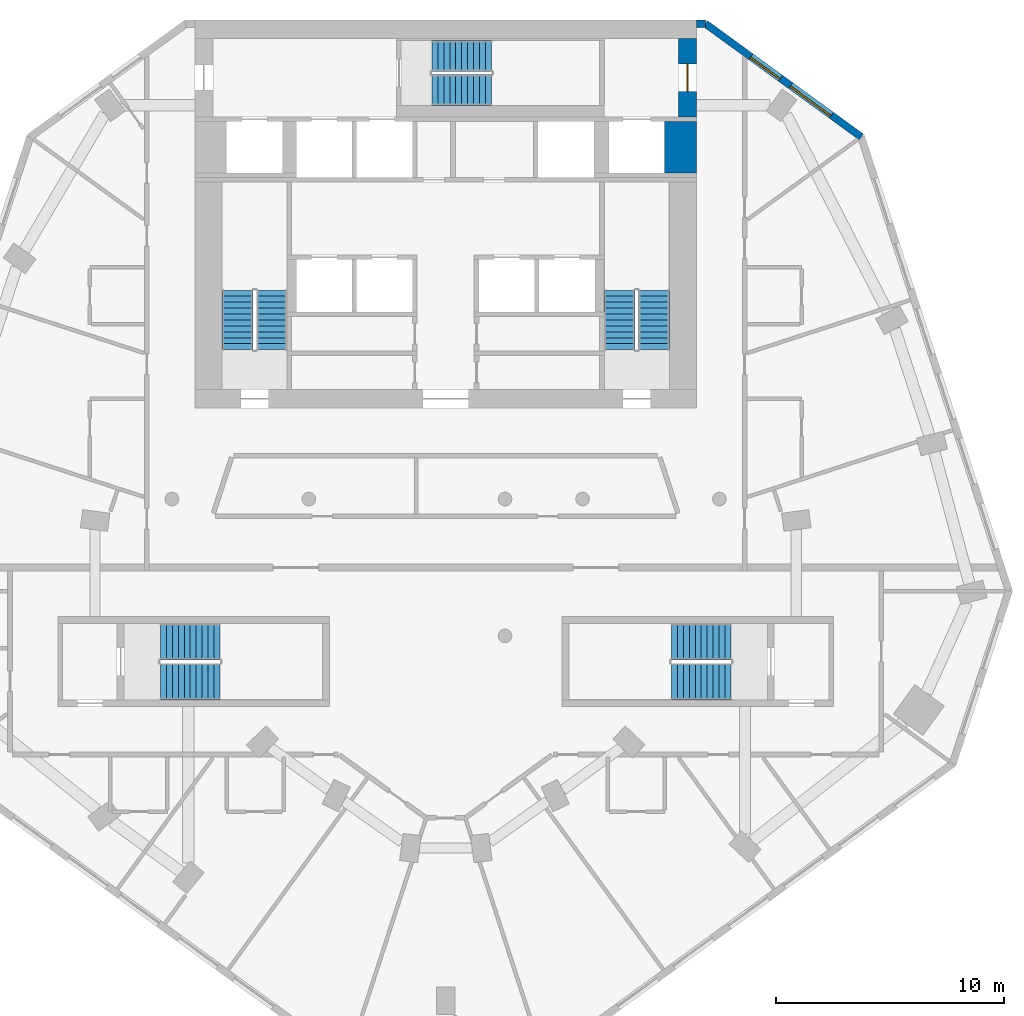
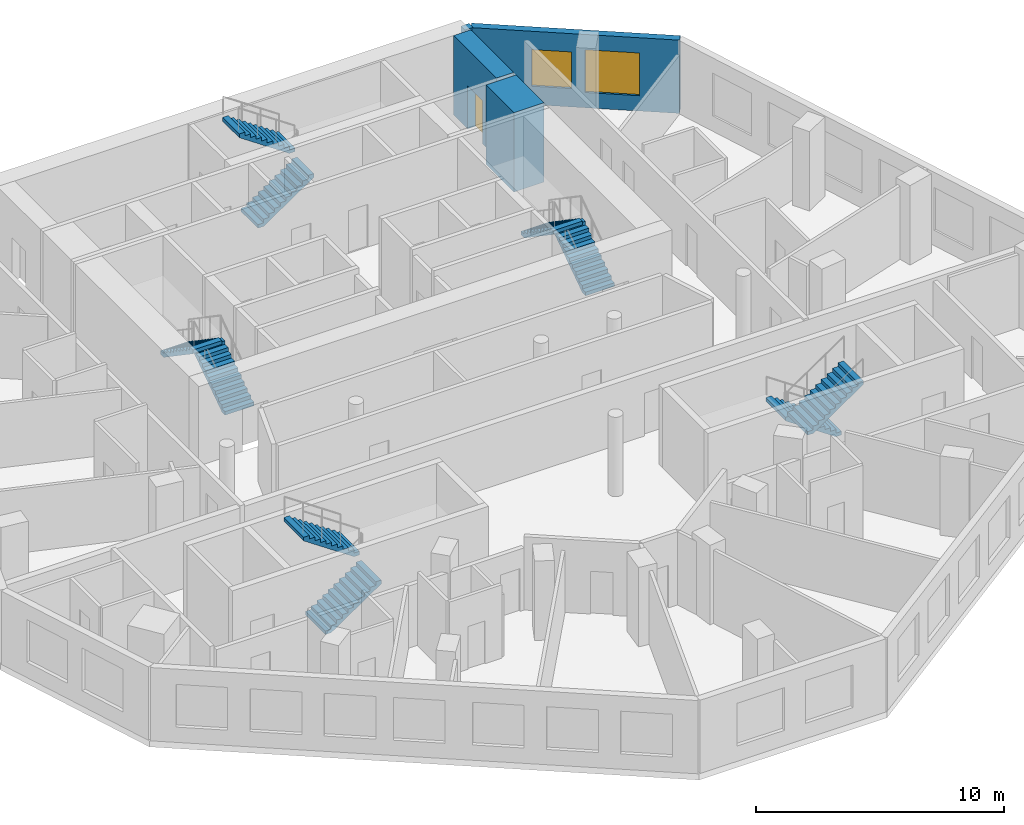
# One storey, part 7 of 9: 10 stair flights, 4 walls, 2 windows, 1 door, 3 openings, 5 elements without a shape of their own.
"""IFC4 building model written with IfcOpenShell, lengths in metres."""

from ifc_helpers import new_model, si_unit, direction, frame, frame_2d, origin, place, context, subcontext, project, spatial, polyline, rectangle, outline, extrude, material, layer, layer_set, type_object, element, fill, aggregate, save


model = new_model("IFC4")

# Units and contexts
model_context = context("Model", 3, precision=1e-05, world=origin(), true_north=direction((0.0, 1.0)))
body_context = subcontext(model_context, "Body", "Model", "MODEL_VIEW")
ifc_project = project(units=[si_unit("LENGTHUNIT", "METRE"), si_unit("AREAUNIT", "SQUARE_METRE"), si_unit("VOLUMEUNIT", "CUBIC_METRE"), si_unit("PLANEANGLEUNIT", "RADIAN"), si_unit("MASSUNIT", "GRAM", prefix="KILO")], contexts=[model_context])

# Site, building, storey
site_placement = place(None, origin())
site = spatial("IfcSite", under=ifc_project, at=site_placement, CompositionType="ELEMENT")
building_placement = place(site_placement, origin())
building = spatial("IfcBuilding", under=site, at=building_placement, Name="White Candle Pilgrim Tower", CompositionType="ELEMENT")
storey_placement = place(building_placement, frame((0.0, 0.0, 212.10009765625)))
storey = spatial("IfcBuildingStorey", under=building, at=storey_placement, Name="L49", CompositionType="ELEMENT", Elevation=212.10009765625)

# Wall
ifc_material_1 = material(Name="Concrete C50/60", Category="concrete")
ifc_layer_1 = layer(ifc_material_1, 1.39990234375)
ifc_layer_set_1 = layer_set([ifc_layer_1], Name="Core wall 1400 mm Concrete C50/60")
wall_type_1 = type_object("IfcWallType", Name="Core wall 1400 mm Concrete C50/60", PredefinedType="SHEAR", material=ifc_layer_set_1)
wall_1_placement = place(storey_placement, frame((80.300048828125, 81.300048828125, 0.0), z_axis=(0.0, 0.0, 1.0), x_axis=(0.0, 1.0, 0.0)))
element("IfcWall", 1, at=wall_1_placement, inside=storey, type_object=wall_type_1, Name="WL-L49-C46", PredefinedType="SHEAR", context=body_context, shape_type="SweptSolid", body=[
    extrude(rectangle(XDim=2.25, YDim=1.39990234375, at=frame_2d((1.125, 0.0))), origin(), (0.0, 0.0, 1.0), 3.89990234375),
])

# Wall, opening, door
ifc_layer_2 = layer(ifc_material_1, 0.800048828125)
ifc_layer_set_2 = layer_set([ifc_layer_2], Name="Core wall 800 mm Concrete C50/60")
wall_type_2 = type_object("IfcWallType", Name="Core wall 800 mm Concrete C50/60", PredefinedType="SHEAR", material=ifc_layer_set_2)
wall_2_placement = place(storey_placement, frame((80.60009765625, 83.75, 0.0), z_axis=(0.0, 0.0, 1.0), x_axis=(0.0, 1.0, 0.0)))
wall_2 = element("IfcWall", 2, at=wall_2_placement, inside=storey, type_object=wall_type_2, Name="WL-L49-C50", PredefinedType="SHEAR", context=body_context, shape_type="SweptSolid", body=[
    extrude(rectangle(XDim=3.449951171875, YDim=0.800048828125, at=frame_2d((1.72509765625, 0.0))), origin(), (0.0, 0.0, 1.0), 3.89990234375),
])
opening_1_placement = place(wall_2_placement, frame((1.125, 0.0, 0.0)))
opening_1 = element("IfcOpeningElement", 3, at=opening_1_placement, cuts=wall_2, Name="Opening T15-010", PredefinedType="OPENING", context=body_context, shape_type="SweptSolid", body=[
    extrude(rectangle(XDim=1.199951171875, YDim=2.10009765625, at=frame_2d((0.60009765625, 1.050048828125))), frame((0.0, 0.409912109375, 0.0), z_axis=(0.0, -1.0, 0.0), x_axis=(1.0, 0.0, 0.0)), (0.0, 0.0, 1.0), 0.820068359375),
])
ifc_material_2 = material(Name="Steel door leaf", Category="steel")
door_type = type_object("IfcDoorType", Name="Fire door 1200 x 2100 EI 30", OperationType="NOTDEFINED", PredefinedType="DOOR", material=ifc_material_2)
door_placement = place(opening_1_placement, origin())
door = element("IfcDoor", 4, at=door_placement, inside=storey, type_object=door_type, Name="Door T15-010", OperationType="SINGLE_SWING_RIGHT", OverallHeight=2.10009765625, OverallWidth=1.199951171875, PredefinedType="DOOR", context=body_context, shape_type="SweptSolid", body=[
    extrude(rectangle(XDim=1.199951171875, YDim=2.10009765625, at=frame_2d((0.60009765625, 1.050048828125))), frame((0.0, 0.02490234375, 0.0), z_axis=(0.0, -1.0, 0.0), x_axis=(1.0, 0.0, 0.0)), (0.0, 0.0, 1.0), 0.050048828125),
])
fill(opening_1, door)

# Wall, openings, windows
ifc_material_3 = material(Name="Precast concrete C40/50", Category="concrete")
ifc_layer_3 = layer(ifc_material_3, 0.320068359375)
ifc_layer_set_3 = layer_set([ifc_layer_3], Name="Facade wall EW1 precast concrete C40/50 pier wall with timber-lined reveals")
wall_type_3 = type_object("IfcWallType", Name="Facade wall EW1 precast concrete C40/50 pier wall with timber-lined reveals", PredefinedType="SOLIDWALL", material=ifc_layer_set_3)
wall_3_placement = place(storey_placement, frame((88.2177734375, 82.875732421875, 0.0), z_axis=(0.0, 0.0, 1.0), x_axis=(-0.809013499188, 0.587790062975, 0.0)))
wall_3 = element("IfcWall", 5, at=wall_3_placement, inside=storey, type_object=wall_type_3, Name="Facade wall L49 NE chamfer", PredefinedType="SOLIDWALL", context=body_context, shape_type="SweptSolid", body=[
    extrude(rectangle(XDim=8.44580078125, YDim=0.320068359375, at=frame_2d((4.222900390625, 0.0))), origin(), (0.0, 0.0, 1.0), 3.599853515625),
])
opening_2_placement = place(wall_3_placement, frame((1.622802734375, 0.0, 0.75)))
opening_2 = element("IfcOpeningElement", 6, at=opening_2_placement, cuts=wall_3, Name="Opening W4", PredefinedType="OPENING", context=body_context, shape_type="SweptSolid", body=[
    extrude(rectangle(XDim=2.199951171875, YDim=2.10009765625, at=frame_2d((1.10009765625, 1.050048828125))), frame((0.0, 0.169921875, 0.0), z_axis=(0.0, -1.0, 0.0), x_axis=(1.0, 0.0, 0.0)), (0.0, 0.0, 1.0), 0.340087890625),
])
opening_3_placement = place(wall_3_placement, frame((4.37939453125, 0.0, 0.89990234375)))
opening_3 = element("IfcOpeningElement", 7, at=opening_3_placement, cuts=wall_3, Name="Opening W2", PredefinedType="OPENING", context=body_context, shape_type="SweptSolid", body=[
    extrude(rectangle(XDim=1.60009765625, YDim=1.800048828125, at=frame_2d((0.800048828125, 0.89990234375))), frame((0.0, 0.169921875, 0.0), z_axis=(0.0, -1.0, 0.0), x_axis=(1.0, 0.0, 0.0)), (0.0, 0.0, 1.0), 0.340087890625),
])
ifc_material_4 = material(Name="Timber frame with triple glazing", Category="wood")
window_type_1 = type_object("IfcWindowType", Name="Window W2 1600x1800 timber frame triple glazing", PartitioningType="SINGLE_PANEL", PredefinedType="WINDOW", material=ifc_material_4)
window_1_placement = place(opening_3_placement, origin())
window_1 = element("IfcWindow", 8, at=window_1_placement, inside=storey, type_object=window_type_1, Name="Window W2 L49 NE chamfer 2", OverallHeight=1.800048828125, OverallWidth=1.60009765625, PartitioningType="SINGLE_PANEL", PredefinedType="WINDOW", context=body_context, shape_type="SweptSolid", body=[
    extrude(rectangle(XDim=1.60009765625, YDim=1.800048828125, at=frame_2d((0.800048828125, 0.89990234375))), frame((0.0, 0.070068359375, 0.0), z_axis=(0.0, -1.0, 0.0), x_axis=(1.0, 0.0, 0.0)), (0.0, 0.0, 1.0), 0.06005859375),
])
fill(opening_3, window_1)
window_type_2 = type_object("IfcWindowType", Name="Window W4 2200x2100 timber frame triple glazing", PartitioningType="SINGLE_PANEL", PredefinedType="WINDOW", material=ifc_material_4)
window_2_placement = place(opening_2_placement, origin())
window_2 = element("IfcWindow", 9, at=window_2_placement, inside=storey, type_object=window_type_2, Name="Window W4 L49 NE chamfer 1", OverallHeight=2.10009765625, OverallWidth=2.199951171875, PartitioningType="SINGLE_PANEL", PredefinedType="WINDOW", context=body_context, shape_type="SweptSolid", body=[
    extrude(rectangle(XDim=2.199951171875, YDim=2.10009765625, at=frame_2d((1.10009765625, 1.050048828125))), frame((0.0, 0.070068359375, 0.0), z_axis=(0.0, -1.0, 0.0), x_axis=(1.0, 0.0, 0.0)), (0.0, 0.0, 1.0), 0.06005859375),
])
fill(opening_2, window_2)

# Wall
wall_4_placement = place(storey_placement, frame((81.385009765625, 87.840087890625, 0.0), z_axis=(0.0, 0.0, 1.0), x_axis=(-1.0, 0.0, 0.0)))
element("IfcWall", 10, at=wall_4_placement, inside=storey, type_object=wall_type_3, Name="Facade wall L49 N", PredefinedType="SOLIDWALL", context=body_context, shape_type="SweptSolid", body=[
    extrude(rectangle(XDim=0.385009765625, YDim=0.320068359375, at=frame_2d((0.1923828125, 0.0))), origin(), (0.0, 0.0, 1.0), 3.599853515625),
])

# Stair, stair flights
ifc_material_5 = material(Name="Concrete C40/50", Category="concrete")
stair_type_1 = type_object("IfcStairType", Name="Exit stair 1 flight width 1350 mm", PredefinedType="HALF_TURN_STAIR", material=ifc_material_5)
stair_1_placement = place(storey_placement, origin())
stair_1 = element("IfcStair", 11, at=stair_1_placement, inside=storey, type_object=stair_type_1, Name="L49 stair 1", PredefinedType="NOTDEFINED")
ifc_layer_4 = layer(ifc_material_5, 0.14990234375)
ifc_layer_set_4 = layer_set([ifc_layer_4], Name="Stair flight Concrete C40/50")
stair_flight_type = type_object("IfcStairFlightType", Name="Stair flight Concrete C40/50", PredefinedType="STRAIGHT", material=ifc_layer_set_4)
stair_flight_1_placement = place(storey_placement, frame((62.375, 73.550048828125, 0.0), z_axis=(0.0, 0.0, 1.0), x_axis=(0.0, 1.0, 0.0)))
stair_flight_1 = element("IfcStairFlight", 12, at=stair_flight_1_placement, type_object=stair_flight_type, Name="ST1 flight 1", NumberOfRisers=11, NumberOfTreads=10, PredefinedType="NOTDEFINED", RiserHeight=0.177272727, TreadLength=0.26, context=body_context, shape_type="SweptSolid", body=[
    extrude(outline(polyline([(0.0, 0.0), (0.0, 0.17724609375), (0.260009765625, 0.17724609375), (0.260009765625, 0.3544921875), (0.52001953125, 0.3544921875), (0.52001953125, 0.53173828125), (0.780029296875, 0.53173828125), (0.780029296875, 0.708984375), (1.0400390625, 0.708984375), (1.0400390625, 0.886474609375), (1.300048828125, 0.886474609375), (1.300048828125, 1.063720703125), (1.56005859375, 1.063720703125), (1.56005859375, 1.240966796875), (1.820068359375, 1.240966796875), (1.820068359375, 1.418212890625), (2.080078125, 1.418212890625), (2.080078125, 1.595458984375), (2.340087890625, 1.595458984375), (2.340087890625, 1.772705078125), (2.60009765625, 1.772705078125), (2.60009765625, 1.949951171875), (2.60009765625, 1.59130859375), (0.26611328125, 0.0), (0.0, 0.0)])), frame((0.0, 0.675048828125, 0.0), z_axis=(0.0, -1.0, 0.0), x_axis=(1.0, 0.0, 0.0)), (0.0, 0.0, 1.0), 1.35009765625),
])
stair_flight_2_placement = place(storey_placement, frame((60.875, 76.14990234375, 1.949951171875), z_axis=(0.0, 0.0, 1.0), x_axis=(0.0, -1.0, 0.0)))
stair_flight_2 = element("IfcStairFlight", 13, at=stair_flight_2_placement, type_object=stair_flight_type, Name="ST1 flight 2", NumberOfRisers=11, NumberOfTreads=10, PredefinedType="NOTDEFINED", RiserHeight=0.177272727, TreadLength=0.26, context=body_context, shape_type="SweptSolid", body=[
    extrude(outline(polyline([(0.0, 0.0), (0.0, 0.17724609375), (0.260009765625, 0.17724609375), (0.260009765625, 0.3544921875), (0.52001953125, 0.3544921875), (0.52001953125, 0.53173828125), (0.780029296875, 0.53173828125), (0.780029296875, 0.708984375), (1.0400390625, 0.708984375), (1.0400390625, 0.886474609375), (1.300048828125, 0.886474609375), (1.300048828125, 1.063720703125), (1.56005859375, 1.063720703125), (1.56005859375, 1.240966796875), (1.820068359375, 1.240966796875), (1.820068359375, 1.418212890625), (2.080078125, 1.418212890625), (2.080078125, 1.595458984375), (2.340087890625, 1.595458984375), (2.340087890625, 1.772705078125), (2.60009765625, 1.772705078125), (2.60009765625, 1.949951171875), (2.60009765625, 1.59130859375), (0.26611328125, 0.0), (0.0, 0.0)])), frame((0.0, 0.675048828125, 0.0), z_axis=(0.0, -1.0, 0.0), x_axis=(1.0, 0.0, 0.0)), (0.0, 0.0, 1.0), 1.35009765625),
])
aggregate(stair_1, [stair_flight_1, stair_flight_2])

stair_type_2 = type_object("IfcStairType", Name="Exit stair 2 flight width 1350 mm", PredefinedType="HALF_TURN_STAIR", material=ifc_material_5)
stair_2_placement = place(storey_placement, origin())
stair_2 = element("IfcStair", 14, at=stair_2_placement, inside=storey, type_object=stair_type_2, Name="L49 stair 2", PredefinedType="NOTDEFINED")
stair_flight_3_placement = place(storey_placement, frame((79.125, 73.550048828125, 0.0), z_axis=(0.0, 0.0, 1.0), x_axis=(0.0, 1.0, 0.0)))
stair_flight_3 = element("IfcStairFlight", 15, at=stair_flight_3_placement, type_object=stair_flight_type, Name="ST2 flight 1", NumberOfRisers=11, NumberOfTreads=10, PredefinedType="NOTDEFINED", RiserHeight=0.177272727, TreadLength=0.26, context=body_context, shape_type="SweptSolid", body=[
    extrude(outline(polyline([(0.0, 0.0), (0.0, 0.17724609375), (0.260009765625, 0.17724609375), (0.260009765625, 0.3544921875), (0.52001953125, 0.3544921875), (0.52001953125, 0.53173828125), (0.780029296875, 0.53173828125), (0.780029296875, 0.708984375), (1.0400390625, 0.708984375), (1.0400390625, 0.886474609375), (1.300048828125, 0.886474609375), (1.300048828125, 1.063720703125), (1.56005859375, 1.063720703125), (1.56005859375, 1.240966796875), (1.820068359375, 1.240966796875), (1.820068359375, 1.418212890625), (2.080078125, 1.418212890625), (2.080078125, 1.595458984375), (2.340087890625, 1.595458984375), (2.340087890625, 1.772705078125), (2.60009765625, 1.772705078125), (2.60009765625, 1.949951171875), (2.60009765625, 1.59130859375), (0.26611328125, 0.0), (0.0, 0.0)])), frame((0.0, 0.675048828125, 0.0), z_axis=(0.0, -1.0, 0.0), x_axis=(1.0, 0.0, 0.0)), (0.0, 0.0, 1.0), 1.35009765625),
])
stair_flight_4_placement = place(storey_placement, frame((77.625, 76.14990234375, 1.949951171875), z_axis=(0.0, 0.0, 1.0), x_axis=(0.0, -1.0, 0.0)))
stair_flight_4 = element("IfcStairFlight", 16, at=stair_flight_4_placement, type_object=stair_flight_type, Name="ST2 flight 2", NumberOfRisers=11, NumberOfTreads=10, PredefinedType="NOTDEFINED", RiserHeight=0.177272727, TreadLength=0.26, context=body_context, shape_type="SweptSolid", body=[
    extrude(outline(polyline([(0.0, 0.0), (0.0, 0.17724609375), (0.260009765625, 0.17724609375), (0.260009765625, 0.3544921875), (0.52001953125, 0.3544921875), (0.52001953125, 0.53173828125), (0.780029296875, 0.53173828125), (0.780029296875, 0.708984375), (1.0400390625, 0.708984375), (1.0400390625, 0.886474609375), (1.300048828125, 0.886474609375), (1.300048828125, 1.063720703125), (1.56005859375, 1.063720703125), (1.56005859375, 1.240966796875), (1.820068359375, 1.240966796875), (1.820068359375, 1.418212890625), (2.080078125, 1.418212890625), (2.080078125, 1.595458984375), (2.340087890625, 1.595458984375), (2.340087890625, 1.772705078125), (2.60009765625, 1.772705078125), (2.60009765625, 1.949951171875), (2.60009765625, 1.59130859375), (0.26611328125, 0.0), (0.0, 0.0)])), frame((0.0, 0.675048828125, 0.0), z_axis=(0.0, -1.0, 0.0), x_axis=(1.0, 0.0, 0.0)), (0.0, 0.0, 1.0), 1.35009765625),
])
aggregate(stair_2, [stair_flight_3, stair_flight_4])

stair_type_3 = type_object("IfcStairType", Name="Exit stair 3 flight width 1350 mm", PredefinedType="HALF_TURN_STAIR", material=ifc_material_5)
stair_3_placement = place(storey_placement, origin())
stair_3 = element("IfcStair", 17, at=stair_3_placement, inside=storey, type_object=stair_type_3, Name="L49 stair 3", PredefinedType="NOTDEFINED")
stair_flight_5_placement = place(storey_placement, frame((69.39990234375, 84.925048828125, 0.0), z_axis=(0.0, 0.0, 1.0), x_axis=(1.0, 0.0, 0.0)))
stair_flight_5 = element("IfcStairFlight", 18, at=stair_flight_5_placement, type_object=stair_flight_type, Name="ST3 flight 1", NumberOfRisers=11, NumberOfTreads=10, PredefinedType="NOTDEFINED", RiserHeight=0.177272727, TreadLength=0.26, context=body_context, shape_type="SweptSolid", body=[
    extrude(outline(polyline([(0.0, 0.0), (0.0, 0.17724609375), (0.260009765625, 0.17724609375), (0.260009765625, 0.3544921875), (0.52001953125, 0.3544921875), (0.52001953125, 0.53173828125), (0.780029296875, 0.53173828125), (0.780029296875, 0.708984375), (1.0400390625, 0.708984375), (1.0400390625, 0.886474609375), (1.300048828125, 0.886474609375), (1.300048828125, 1.063720703125), (1.56005859375, 1.063720703125), (1.56005859375, 1.240966796875), (1.820068359375, 1.240966796875), (1.820068359375, 1.418212890625), (2.080078125, 1.418212890625), (2.080078125, 1.595458984375), (2.340087890625, 1.595458984375), (2.340087890625, 1.772705078125), (2.60009765625, 1.772705078125), (2.60009765625, 1.949951171875), (2.60009765625, 1.59130859375), (0.26611328125, 0.0), (0.0, 0.0)])), frame((0.0, 0.675048828125, 0.0), z_axis=(0.0, -1.0, 0.0), x_axis=(1.0, 0.0, 0.0)), (0.0, 0.0, 1.0), 1.35009765625),
])
stair_flight_6_placement = place(storey_placement, frame((72.0, 86.425048828125, 1.949951171875), z_axis=(0.0, 0.0, 1.0), x_axis=(-1.0, 0.0, 0.0)))
stair_flight_6 = element("IfcStairFlight", 19, at=stair_flight_6_placement, type_object=stair_flight_type, Name="ST3 flight 2", NumberOfRisers=11, NumberOfTreads=10, PredefinedType="NOTDEFINED", RiserHeight=0.177272727, TreadLength=0.26, context=body_context, shape_type="SweptSolid", body=[
    extrude(outline(polyline([(0.0, 0.0), (0.0, 0.17724609375), (0.260009765625, 0.17724609375), (0.260009765625, 0.3544921875), (0.52001953125, 0.3544921875), (0.52001953125, 0.53173828125), (0.780029296875, 0.53173828125), (0.780029296875, 0.708984375), (1.0400390625, 0.708984375), (1.0400390625, 0.886474609375), (1.300048828125, 0.886474609375), (1.300048828125, 1.063720703125), (1.56005859375, 1.063720703125), (1.56005859375, 1.240966796875), (1.820068359375, 1.240966796875), (1.820068359375, 1.418212890625), (2.080078125, 1.418212890625), (2.080078125, 1.595458984375), (2.340087890625, 1.595458984375), (2.340087890625, 1.772705078125), (2.60009765625, 1.772705078125), (2.60009765625, 1.949951171875), (2.60009765625, 1.59130859375), (0.26611328125, 0.0), (0.0, 0.0)])), frame((0.0, 0.675048828125, 0.0), z_axis=(0.0, -1.0, 0.0), x_axis=(1.0, 0.0, 0.0)), (0.0, 0.0, 1.0), 1.35009765625),
])
aggregate(stair_3, [stair_flight_5, stair_flight_6])

stair_type_4 = type_object("IfcStairType", Name="Exit stair 4 flight width 1600 mm", PredefinedType="HALF_TURN_STAIR", material=ifc_material_5)
stair_4_placement = place(storey_placement, origin())
stair_4 = element("IfcStair", 20, at=stair_4_placement, inside=storey, type_object=stair_type_4, Name="L49 stair 4", PredefinedType="NOTDEFINED")
stair_flight_7_placement = place(storey_placement, frame((82.5, 60.75, 0.0), z_axis=(0.0, 0.0, 1.0), x_axis=(-1.0, 0.0, 0.0)))
stair_flight_7 = element("IfcStairFlight", 21, at=stair_flight_7_placement, type_object=stair_flight_type, Name="ST4 flight 1", NumberOfRisers=11, NumberOfTreads=10, PredefinedType="NOTDEFINED", RiserHeight=0.177272727, TreadLength=0.26, context=body_context, shape_type="SweptSolid", body=[
    extrude(outline(polyline([(0.0, 0.0), (0.0, 0.17724609375), (0.260009765625, 0.17724609375), (0.260009765625, 0.3544921875), (0.52001953125, 0.3544921875), (0.52001953125, 0.53173828125), (0.780029296875, 0.53173828125), (0.780029296875, 0.708984375), (1.0400390625, 0.708984375), (1.0400390625, 0.886474609375), (1.300048828125, 0.886474609375), (1.300048828125, 1.063720703125), (1.56005859375, 1.063720703125), (1.56005859375, 1.240966796875), (1.820068359375, 1.240966796875), (1.820068359375, 1.418212890625), (2.080078125, 1.418212890625), (2.080078125, 1.595458984375), (2.340087890625, 1.595458984375), (2.340087890625, 1.772705078125), (2.60009765625, 1.772705078125), (2.60009765625, 1.949951171875), (2.60009765625, 1.59130859375), (0.26611328125, 0.0), (0.0, 0.0)])), frame((0.0, 0.800048828125, 0.0), z_axis=(0.0, -1.0, 0.0), x_axis=(1.0, 0.0, 0.0)), (0.0, 0.0, 1.0), 1.60009765625),
])
stair_flight_8_placement = place(storey_placement, frame((79.89990234375, 59.0, 1.949951171875), z_axis=(0.0, 0.0, 1.0), x_axis=(1.0, 0.0, 0.0)))
stair_flight_8 = element("IfcStairFlight", 22, at=stair_flight_8_placement, type_object=stair_flight_type, Name="ST4 flight 2", NumberOfRisers=11, NumberOfTreads=10, PredefinedType="NOTDEFINED", RiserHeight=0.177272727, TreadLength=0.26, context=body_context, shape_type="SweptSolid", body=[
    extrude(outline(polyline([(0.0, 0.0), (0.0, 0.17724609375), (0.260009765625, 0.17724609375), (0.260009765625, 0.3544921875), (0.52001953125, 0.3544921875), (0.52001953125, 0.53173828125), (0.780029296875, 0.53173828125), (0.780029296875, 0.708984375), (1.0400390625, 0.708984375), (1.0400390625, 0.886474609375), (1.300048828125, 0.886474609375), (1.300048828125, 1.063720703125), (1.56005859375, 1.063720703125), (1.56005859375, 1.240966796875), (1.820068359375, 1.240966796875), (1.820068359375, 1.418212890625), (2.080078125, 1.418212890625), (2.080078125, 1.595458984375), (2.340087890625, 1.595458984375), (2.340087890625, 1.772705078125), (2.60009765625, 1.772705078125), (2.60009765625, 1.949951171875), (2.60009765625, 1.59130859375), (0.26611328125, 0.0), (0.0, 0.0)])), frame((0.0, 0.800048828125, 0.0), z_axis=(0.0, -1.0, 0.0), x_axis=(1.0, 0.0, 0.0)), (0.0, 0.0, 1.0), 1.60009765625),
])
aggregate(stair_4, [stair_flight_7, stair_flight_8])

stair_type_5 = type_object("IfcStairType", Name="Exit stair 5 flight width 1600 mm", PredefinedType="HALF_TURN_STAIR", material=ifc_material_5)
stair_5_placement = place(storey_placement, origin())
stair_5 = element("IfcStair", 23, at=stair_5_placement, inside=storey, type_object=stair_type_5, Name="L49 stair 5", PredefinedType="NOTDEFINED")
stair_flight_9_placement = place(storey_placement, frame((57.5, 59.0, 0.0), z_axis=(0.0, 0.0, 1.0), x_axis=(1.0, 0.0, 0.0)))
stair_flight_9 = element("IfcStairFlight", 24, at=stair_flight_9_placement, type_object=stair_flight_type, Name="ST5 flight 1", NumberOfRisers=11, NumberOfTreads=10, PredefinedType="NOTDEFINED", RiserHeight=0.177272727, TreadLength=0.26, context=body_context, shape_type="SweptSolid", body=[
    extrude(outline(polyline([(0.0, 0.0), (0.0, 0.17724609375), (0.260009765625, 0.17724609375), (0.260009765625, 0.3544921875), (0.52001953125, 0.3544921875), (0.52001953125, 0.53173828125), (0.780029296875, 0.53173828125), (0.780029296875, 0.708984375), (1.0400390625, 0.708984375), (1.0400390625, 0.886474609375), (1.300048828125, 0.886474609375), (1.300048828125, 1.063720703125), (1.56005859375, 1.063720703125), (1.56005859375, 1.240966796875), (1.820068359375, 1.240966796875), (1.820068359375, 1.418212890625), (2.080078125, 1.418212890625), (2.080078125, 1.595458984375), (2.340087890625, 1.595458984375), (2.340087890625, 1.772705078125), (2.60009765625, 1.772705078125), (2.60009765625, 1.949951171875), (2.60009765625, 1.59130859375), (0.26611328125, 0.0), (0.0, 0.0)])), frame((0.0, 0.800048828125, 0.0), z_axis=(0.0, -1.0, 0.0), x_axis=(1.0, 0.0, 0.0)), (0.0, 0.0, 1.0), 1.60009765625),
])
stair_flight_10_placement = place(storey_placement, frame((60.10009765625, 60.75, 1.949951171875), z_axis=(0.0, 0.0, 1.0), x_axis=(-1.0, 0.0, 0.0)))
stair_flight_10 = element("IfcStairFlight", 25, at=stair_flight_10_placement, type_object=stair_flight_type, Name="ST5 flight 2", NumberOfRisers=11, NumberOfTreads=10, PredefinedType="NOTDEFINED", RiserHeight=0.177272727, TreadLength=0.26, context=body_context, shape_type="SweptSolid", body=[
    extrude(outline(polyline([(0.0, 0.0), (0.0, 0.17724609375), (0.260009765625, 0.17724609375), (0.260009765625, 0.3544921875), (0.52001953125, 0.3544921875), (0.52001953125, 0.53173828125), (0.780029296875, 0.53173828125), (0.780029296875, 0.708984375), (1.0400390625, 0.708984375), (1.0400390625, 0.886474609375), (1.300048828125, 0.886474609375), (1.300048828125, 1.063720703125), (1.56005859375, 1.063720703125), (1.56005859375, 1.240966796875), (1.820068359375, 1.240966796875), (1.820068359375, 1.418212890625), (2.080078125, 1.418212890625), (2.080078125, 1.595458984375), (2.340087890625, 1.595458984375), (2.340087890625, 1.772705078125), (2.60009765625, 1.772705078125), (2.60009765625, 1.949951171875), (2.60009765625, 1.59130859375), (0.26611328125, 0.0), (0.0, 0.0)])), frame((0.0, 0.800048828125, 0.0), z_axis=(0.0, -1.0, 0.0), x_axis=(1.0, 0.0, 0.0)), (0.0, 0.0, 1.0), 1.60009765625),
])
aggregate(stair_5, [stair_flight_9, stair_flight_10])

save(model, "model.ifc")
